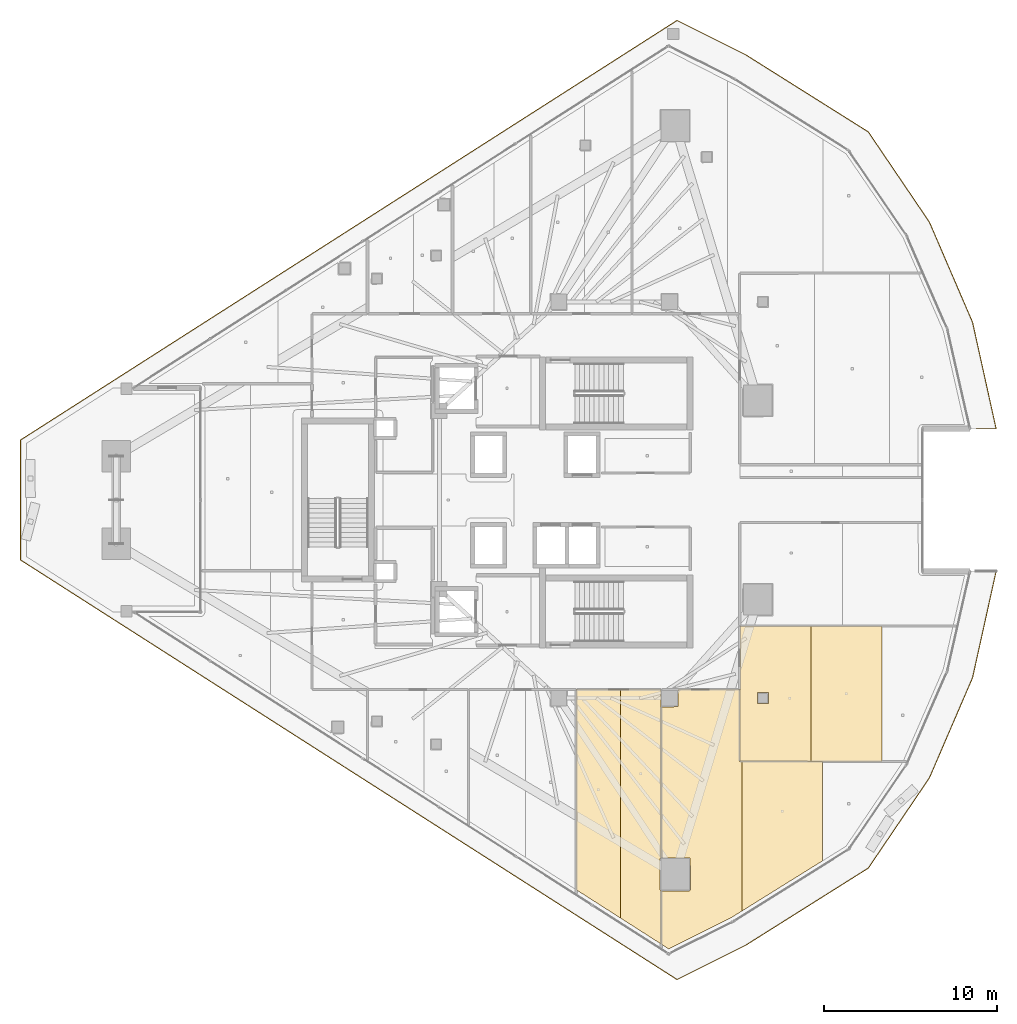
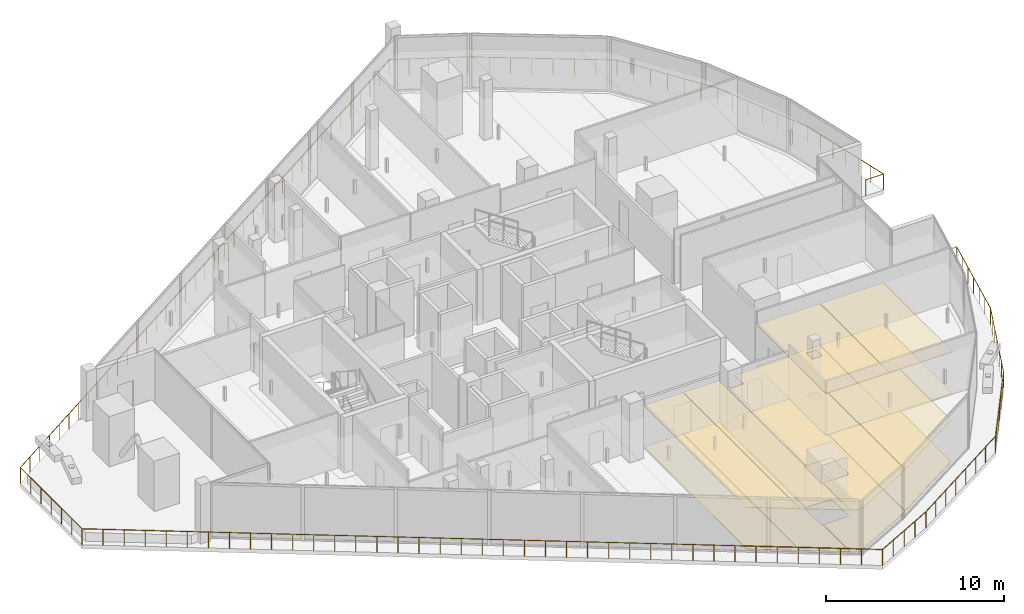
# One storey, part 29 of 32: 12 coverings, 1 railing.
"""IFC4 building model written with IfcOpenShell, lengths in metres."""

from ifc_helpers import new_model, si_unit, direction, frame, origin, origin_2d, place, context, subcontext, project, spatial, polyline, circle, outline, extrude, material, layer, layer_set, type_object, element, save


model = new_model("IFC4")

# Units and contexts
model_context = context("Model", 3, precision=1e-05, world=origin(), true_north=direction((0.0, 1.0)))
body_context = subcontext(model_context, "Body", "Model", "MODEL_VIEW")
ifc_project = project(units=[si_unit("LENGTHUNIT", "METRE"), si_unit("AREAUNIT", "SQUARE_METRE"), si_unit("VOLUMEUNIT", "CUBIC_METRE"), si_unit("PLANEANGLEUNIT", "RADIAN"), si_unit("MASSUNIT", "GRAM", prefix="KILO")], contexts=[model_context])

# Site, building, storey
site_placement = place(None, origin())
site = spatial("IfcSite", under=ifc_project, at=site_placement, CompositionType="ELEMENT")
building_placement = place(site_placement, origin())
building = spatial("IfcBuilding", under=site, at=building_placement, Name="Qorvath Tower", CompositionType="ELEMENT")
storey_placement = place(building_placement, frame((0.0, 0.0, 233.39990234375)))
storey = spatial("IfcBuildingStorey", under=building, at=storey_placement, Name="L54", CompositionType="ELEMENT", Elevation=233.39990234375)

# Coverings
ifc_material_1 = material(Name="Acoustic mineral fibre ceiling tile", Category="gypsum")
ifc_layer_1 = layer(ifc_material_1, 0.030029296875)
ifc_layer_set_1 = layer_set([ifc_layer_1], Name="COV-CEIL")
covering_type_1 = type_object("IfcCoveringType", Name="COV-CEIL", PredefinedType="CEILING", material=ifc_layer_set_1)
covering_1_placement = place(storey_placement, frame((0.0, 0.0, 2.85009765625)))
element("IfcCovering", 1, at=covering_1_placement, inside=storey, type_object=covering_type_1, Name="L54 Suspended Acoustic Ceiling 023", PredefinedType="CEILING", context=body_context, shape_type="SweptSolid", body=[
    extrude(outline(polyline([(-20.040771484375, -24.1474609375), (-20.040771484375, -10.962890625), (-22.573974609375, -10.962890625), (-22.573974609375, -22.5283203125), (-20.040771484375, -24.1474609375)])), origin(), (0.0, 0.0, 1.0), 0.030029296875),
])
covering_2_placement = place(storey_placement, frame((0.0, 0.0, 2.85009765625)))
element("IfcCovering", 2, at=covering_2_placement, inside=storey, type_object=covering_type_1, Name="L54 Suspended Acoustic Ceiling 024", PredefinedType="CEILING", context=body_context, shape_type="SweptSolid", body=[
    extrude(outline(polyline([(-17.69677734375, -20.6669921875), (-17.694580078125, -10.962890625), (-20.040771484375, -10.962890625), (-20.040771484375, -24.1474609375), (-17.680908203125, -25.65576171875), (-17.680908203125, -22.587158203125), (-17.756591796875, -22.527099609375), (-17.756591796875, -20.72705078125), (-17.69677734375, -20.6669921875)])), origin(), (0.0, 0.0, 1.0), 0.030029296875),
])
covering_3_placement = place(storey_placement, frame((0.0, 0.0, 2.85009765625)))
element("IfcCovering", 3, at=covering_3_placement, inside=storey, type_object=covering_type_1, Name="L54 Suspended Acoustic Ceiling 025", PredefinedType="CEILING", context=body_context, shape_type="SweptSolid", body=[
    extrude(outline(polyline([(-17.241455078125, -25.9365234375), (-13.634765625, -24.133056640625), (-13.008056640625, -23.7431640625), (-13.008056640625, -15.109375), (-13.14990234375, -15.109130859375), (-13.155029296875, -10.962890625), (-16.705322265625, -10.962890625), (-16.70751953125, -11.9423828125), (-17.662841796875, -11.95458984375), (-17.662841796875, -20.6669921875), (-16.00439453125, -20.6845703125), (-15.98681640625, -22.527099609375), (-16.046630859375, -22.587158203125), (-17.662841796875, -22.587158203125), (-17.662841796875, -25.667236328125), (-17.241455078125, -25.9365234375)])), origin(), (0.0, 0.0, 1.0), 0.030029296875),
])
covering_4_placement = place(storey_placement, frame((0.0, 0.0, 2.85009765625)))
element("IfcCovering", 4, at=covering_4_placement, inside=storey, type_object=covering_type_1, Name="L54 Suspended Acoustic Ceiling 026", PredefinedType="CEILING", context=body_context, shape_type="SweptSolid", body=[
    extrude(outline(polyline([(-13.008056640625, -15.109375), (-13.008056640625, -23.7431640625), (-8.35302734375, -20.84619140625), (-8.35302734375, -15.113037109375), (-13.008056640625, -15.109375)])), origin(), (0.0, 0.0, 1.0), 0.030029296875),
])
covering_5_placement = place(storey_placement, frame((0.0, 0.0, 2.85009765625)))
element("IfcCovering", 5, at=covering_5_placement, inside=storey, type_object=covering_type_1, Name="L54 Suspended Acoustic Ceiling 028", PredefinedType="CEILING", context=body_context, shape_type="SweptSolid", body=[
    extrude(outline(polyline([(-13.136962890625, -7.281494140625), (-13.136962890625, -15.09130859375), (-9.02978515625, -15.094482421875), (-9.02978515625, -7.281494140625), (-13.136962890625, -7.281494140625)]), holes=[polyline([(-12.117431640625, -11.767333984375), (-12.117431640625, -11.132568359375), (-11.482666015625, -11.132568359375), (-11.482666015625, -11.767333984375), (-12.117431640625, -11.767333984375)])]), origin(), (0.0, 0.0, 1.0), 0.030029296875),
])
covering_6_placement = place(storey_placement, frame((0.0, 0.0, 2.85009765625)))
element("IfcCovering", 6, at=covering_6_placement, inside=storey, type_object=covering_type_1, Name="L54 Suspended Acoustic Ceiling 029", PredefinedType="CEILING", context=body_context, shape_type="SweptSolid", body=[
    extrude(outline(polyline([(-9.02978515625, -7.281494140625), (-9.02978515625, -15.094482421875), (-4.92236328125, -15.09765625), (-4.92236328125, -7.281494140625), (-9.02978515625, -7.281494140625)])), origin(), (0.0, 0.0, 1.0), 0.030029296875),
])
ifc_material_2 = material(Name="Low-VOC modular carpet tile", Category="textile")
ifc_layer_2 = layer(ifc_material_2, 0.014892578125)
ifc_layer_set_2 = layer_set([ifc_layer_2], Name="COV-FLOOR-CPT")
covering_type_2 = type_object("IfcCoveringType", Name="COV-FLOOR-CPT", PredefinedType="FLOORING", material=ifc_layer_set_2)
covering_7_placement = place(storey_placement, origin())
element("IfcCovering", 7, at=covering_7_placement, inside=storey, type_object=covering_type_2, Name="L54 Floor Finish 023", PredefinedType="FLOORING", context=body_context, shape_type="SweptSolid", body=[
    extrude(outline(polyline([(-20.040771484375, -24.1474609375), (-20.040771484375, -10.962890625), (-22.573974609375, -10.962890625), (-22.573974609375, -22.5283203125), (-20.040771484375, -24.1474609375)])), origin(), (0.0, 0.0, 1.0), 0.01513671875),
])
covering_8_placement = place(storey_placement, origin())
element("IfcCovering", 8, at=covering_8_placement, inside=storey, type_object=covering_type_2, Name="L54 Floor Finish 024", PredefinedType="FLOORING", context=body_context, shape_type="SweptSolid", body=[
    extrude(outline(polyline([(-17.69677734375, -20.6669921875), (-17.694580078125, -10.962890625), (-20.040771484375, -10.962890625), (-20.040771484375, -24.1474609375), (-17.680908203125, -25.65576171875), (-17.680908203125, -22.587158203125), (-17.756591796875, -22.527099609375), (-17.756591796875, -20.72705078125), (-17.69677734375, -20.6669921875)])), origin(), (0.0, 0.0, 1.0), 0.01513671875),
])
covering_9_placement = place(storey_placement, origin())
element("IfcCovering", 9, at=covering_9_placement, inside=storey, type_object=covering_type_2, Name="L54 Floor Finish 025", PredefinedType="FLOORING", context=body_context, shape_type="SweptSolid", body=[
    extrude(outline(polyline([(-17.241455078125, -25.9365234375), (-13.634765625, -24.133056640625), (-13.008056640625, -23.7431640625), (-13.008056640625, -15.109375), (-13.14990234375, -15.109130859375), (-13.155029296875, -10.962890625), (-16.705322265625, -10.962890625), (-16.70751953125, -11.9423828125), (-17.662841796875, -11.95458984375), (-17.662841796875, -20.6669921875), (-16.00439453125, -20.6845703125), (-15.98681640625, -22.527099609375), (-16.046630859375, -22.587158203125), (-17.662841796875, -22.587158203125), (-17.662841796875, -25.667236328125), (-17.241455078125, -25.9365234375)])), origin(), (0.0, 0.0, 1.0), 0.01513671875),
])
covering_10_placement = place(storey_placement, origin())
element("IfcCovering", 10, at=covering_10_placement, inside=storey, type_object=covering_type_2, Name="L54 Floor Finish 026", PredefinedType="FLOORING", context=body_context, shape_type="SweptSolid", body=[
    extrude(outline(polyline([(-13.008056640625, -15.109375), (-13.008056640625, -23.7431640625), (-8.35302734375, -20.84619140625), (-8.35302734375, -15.113037109375), (-13.008056640625, -15.109375)])), origin(), (0.0, 0.0, 1.0), 0.01513671875),
])
covering_11_placement = place(storey_placement, origin())
element("IfcCovering", 11, at=covering_11_placement, inside=storey, type_object=covering_type_2, Name="L54 Floor Finish 028", PredefinedType="FLOORING", context=body_context, shape_type="SweptSolid", body=[
    extrude(outline(polyline([(-13.136962890625, -7.281494140625), (-13.136962890625, -15.09130859375), (-9.02978515625, -15.094482421875), (-9.02978515625, -7.281494140625), (-13.136962890625, -7.281494140625)]), holes=[polyline([(-12.117431640625, -11.767333984375), (-12.117431640625, -11.132568359375), (-11.482666015625, -11.132568359375), (-11.482666015625, -11.767333984375), (-12.117431640625, -11.767333984375)])]), origin(), (0.0, 0.0, 1.0), 0.01513671875),
])
covering_12_placement = place(storey_placement, origin())
element("IfcCovering", 12, at=covering_12_placement, inside=storey, type_object=covering_type_2, Name="L54 Floor Finish 029", PredefinedType="FLOORING", context=body_context, shape_type="SweptSolid", body=[
    extrude(outline(polyline([(-9.02978515625, -7.281494140625), (-9.02978515625, -15.094482421875), (-4.92236328125, -15.09765625), (-4.92236328125, -7.281494140625), (-9.02978515625, -7.281494140625)])), origin(), (0.0, 0.0, 1.0), 0.01513671875),
])

# Railing
ifc_material_3 = material(Name="Laminated safety glass and stainless steel AISI 316", Category="steel")
railing_type = type_object("IfcRailingType", Name="RL-EXT-GRD", PredefinedType="GUARDRAIL", material=ifc_material_3)
railing_placement = place(storey_placement, frame((1.676513671875, -4.11474609375, 0.0)))
element("IfcRailing", 13, at=railing_placement, inside=storey, type_object=railing_type, Name="Loggia Perimeter Guardrail L54-1.1", PredefinedType="GUARDRAIL", context=body_context, shape_type="SweptSolid", body=[
    extrude(circle(Radius=0.02392578125, at=origin_2d()), frame((0.0, 0.0, 1.09619140625), z_axis=(-0.216118110826, -0.976367227109, 0.0), x_axis=(0.976367227109, -0.216118110826, 0.0)), (0.0, 0.0, 1.0), 6.30126953125),
    extrude(circle(Radius=0.02392578125, at=origin_2d()), frame((-1.36181640625, -6.15234375, 1.09619140625), z_axis=(-0.395480595166, -0.918474332166, 0.0), x_axis=(0.918474332166, -0.395480595166, 0.0)), (0.0, 0.0, 1.0), 6.301025390625),
    extrude(circle(Radius=0.02392578125, at=origin_2d()), frame((-3.853759765625, -11.939697265625, 1.09619140625), z_axis=(-0.560819015743, -0.827938422578, 0.0), x_axis=(0.827938422578, -0.560819015743, 0.0)), (0.0, 0.0, 1.0), 6.301025390625),
    extrude(circle(Radius=0.02392578125, at=origin_2d()), frame((-7.387451171875, -17.156494140625, 1.09619140625), z_axis=(-0.846490615346, -0.53240364211, 0.0), x_axis=(0.53240364211, -0.846490615346, 0.0)), (0.0, 0.0, 1.0), 8.37939453125),
    extrude(circle(Radius=0.02392578125, at=origin_2d()), frame((-14.48046875, -21.61767578125, 1.09619140625), z_axis=(-0.89443822296, -0.4471915309, 0.0), x_axis=(0.4471915309, -0.89443822296, 0.0)), (0.0, 0.0, 1.0), 4.426025390625),
    extrude(circle(Radius=0.02392578125, at=origin_2d()), frame((-18.439208984375, -23.596923828125, 1.09619140625), z_axis=(-0.842606250053, 0.538530135992, 0.0), x_axis=(-0.538530135992, -0.842606250053, 0.0)), (0.0, 0.0, 1.0), 45.025390625),
    extrude(circle(Radius=0.02392578125, at=origin_2d()), frame((-56.3779296875, 0.650634765625, 1.09619140625), z_axis=(0.0, 1.0, 0.0), x_axis=(-1.0, 0.0, 0.0)), (0.0, 0.0, 1.0), 6.92822265625),
    extrude(circle(Radius=0.02392578125, at=origin_2d()), frame((-56.3779296875, 7.578857421875, 1.09619140625), z_axis=(0.842606250053, 0.538530135992, 0.0), x_axis=(-0.538530135992, 0.842606250053, 0.0)), (0.0, 0.0, 1.0), 45.025390625),
    extrude(circle(Radius=0.02392578125, at=origin_2d()), frame((-18.439208984375, 31.826416015625, 1.09619140625), z_axis=(0.89443822296, -0.4471915309, 0.0), x_axis=(0.4471915309, 0.89443822296, 0.0)), (0.0, 0.0, 1.0), 4.426025390625),
    extrude(circle(Radius=0.02392578125, at=origin_2d()), frame((-14.48046875, 29.84716796875, 1.09619140625), z_axis=(0.846490615346, -0.53240364211, 0.0), x_axis=(0.53240364211, 0.846490615346, 0.0)), (0.0, 0.0, 1.0), 8.37939453125),
    extrude(circle(Radius=0.02392578125, at=origin_2d()), frame((-7.387451171875, 25.385986328125, 1.09619140625), z_axis=(0.560819015743, -0.827938422578, 0.0), x_axis=(0.827938422578, 0.560819015743, 0.0)), (0.0, 0.0, 1.0), 6.301025390625),
    extrude(circle(Radius=0.02392578125, at=origin_2d()), frame((-3.853759765625, 20.169189453125, 1.09619140625), z_axis=(0.395480595166, -0.918474332166, 0.0), x_axis=(0.918474332166, 0.395480595166, 0.0)), (0.0, 0.0, 1.0), 6.301025390625),
    extrude(circle(Radius=0.02392578125, at=origin_2d()), frame((-1.36181640625, 14.3818359375, 1.09619140625), z_axis=(0.216118110826, -0.976367227109, 0.0), x_axis=(0.976367227109, 0.216118110826, 0.0)), (0.0, 0.0, 1.0), 6.30126953125),
    extrude(circle(Radius=0.02392578125, at=origin_2d()), frame((0.0, 8.2294921875, 1.09619140625), z_axis=(-1.0, 0.0, 0.0), x_axis=(0.0, -1.0, 0.0)), (0.0, 0.0, 1.0), 1.158935546875),
    extrude(circle(Radius=0.02099609375, at=origin_2d()), origin(), (0.0, 0.0, 1.0), 1.072021484375),
    extrude(circle(Radius=0.02099609375, at=origin_2d()), frame((-0.22705078125, -1.025390625, 0.0)), (0.0, 0.0, 1.0), 1.072021484375),
    extrude(circle(Radius=0.02099609375, at=origin_2d()), frame((-0.453857421875, -2.05078125, 0.0)), (0.0, 0.0, 1.0), 1.072021484375),
    extrude(circle(Radius=0.02099609375, at=origin_2d()), frame((-0.680908203125, -3.076171875, 0.0)), (0.0, 0.0, 1.0), 1.072021484375),
    extrude(circle(Radius=0.02099609375, at=origin_2d()), frame((-0.907958984375, -4.1015625, 0.0)), (0.0, 0.0, 1.0), 1.072021484375),
    extrude(circle(Radius=0.02099609375, at=origin_2d()), frame((-1.134765625, -5.126953125, 0.0)), (0.0, 0.0, 1.0), 1.072021484375),
    extrude(circle(Radius=0.02099609375, at=origin_2d()), frame((-1.36181640625, -6.15234375, 0.0)), (0.0, 0.0, 1.0), 1.072021484375),
    extrude(circle(Radius=0.02099609375, at=origin_2d()), frame((-1.777099609375, -7.116943359375, 0.0)), (0.0, 0.0, 1.0), 1.072021484375),
    extrude(circle(Radius=0.02099609375, at=origin_2d()), frame((-2.1923828125, -8.08154296875, 0.0)), (0.0, 0.0, 1.0), 1.072021484375),
    extrude(circle(Radius=0.02099609375, at=origin_2d()), frame((-2.60791015625, -9.0458984375, 0.0)), (0.0, 0.0, 1.0), 1.072021484375),
    extrude(circle(Radius=0.02099609375, at=origin_2d()), frame((-3.023193359375, -10.010498046875, 0.0)), (0.0, 0.0, 1.0), 1.072021484375),
    extrude(circle(Radius=0.02099609375, at=origin_2d()), frame((-3.4384765625, -10.97509765625, 0.0)), (0.0, 0.0, 1.0), 1.072021484375),
    extrude(circle(Radius=0.02099609375, at=origin_2d()), frame((-3.853759765625, -11.939697265625, 0.0)), (0.0, 0.0, 1.0), 1.072021484375),
    extrude(circle(Radius=0.02099609375, at=origin_2d()), frame((-4.442626953125, -12.80908203125, 0.0)), (0.0, 0.0, 1.0), 1.072021484375),
    extrude(circle(Radius=0.02099609375, at=origin_2d()), frame((-5.03173828125, -13.6787109375, 0.0)), (0.0, 0.0, 1.0), 1.072021484375),
    extrude(circle(Radius=0.02099609375, at=origin_2d()), frame((-5.62060546875, -14.548095703125, 0.0)), (0.0, 0.0, 1.0), 1.072021484375),
    extrude(circle(Radius=0.02099609375, at=origin_2d()), frame((-6.20947265625, -15.41748046875, 0.0)), (0.0, 0.0, 1.0), 1.072021484375),
    extrude(circle(Radius=0.02099609375, at=origin_2d()), frame((-6.798583984375, -16.287109375, 0.0)), (0.0, 0.0, 1.0), 1.072021484375),
    extrude(circle(Radius=0.02099609375, at=origin_2d()), frame((-7.387451171875, -17.156494140625, 0.0)), (0.0, 0.0, 1.0), 1.072021484375),
    extrude(circle(Radius=0.02099609375, at=origin_2d()), frame((-8.400634765625, -17.793701171875, 0.0)), (0.0, 0.0, 1.0), 1.072021484375),
    extrude(circle(Radius=0.02099609375, at=origin_2d()), frame((-9.4140625, -18.43115234375, 0.0)), (0.0, 0.0, 1.0), 1.072021484375),
    extrude(circle(Radius=0.02099609375, at=origin_2d()), frame((-10.42724609375, -19.068359375, 0.0)), (0.0, 0.0, 1.0), 1.072021484375),
    extrude(circle(Radius=0.02099609375, at=origin_2d()), frame((-11.440673828125, -19.705810546875, 0.0)), (0.0, 0.0, 1.0), 1.072021484375),
    extrude(circle(Radius=0.02099609375, at=origin_2d()), frame((-12.453857421875, -20.343017578125, 0.0)), (0.0, 0.0, 1.0), 1.072021484375),
    extrude(circle(Radius=0.02099609375, at=origin_2d()), frame((-13.46728515625, -20.98046875, 0.0)), (0.0, 0.0, 1.0), 1.072021484375),
    extrude(circle(Radius=0.02099609375, at=origin_2d()), frame((-14.48046875, -21.61767578125, 0.0)), (0.0, 0.0, 1.0), 1.072021484375),
    extrude(circle(Radius=0.02099609375, at=origin_2d()), frame((-15.47021484375, -22.112548828125, 0.0)), (0.0, 0.0, 1.0), 1.072021484375),
    extrude(circle(Radius=0.02099609375, at=origin_2d()), frame((-16.4599609375, -22.607421875, 0.0)), (0.0, 0.0, 1.0), 1.072021484375),
    extrude(circle(Radius=0.02099609375, at=origin_2d()), frame((-17.449462890625, -23.10205078125, 0.0)), (0.0, 0.0, 1.0), 1.072021484375),
    extrude(circle(Radius=0.02099609375, at=origin_2d()), frame((-18.439208984375, -23.596923828125, 0.0)), (0.0, 0.0, 1.0), 1.072021484375),
    extrude(circle(Radius=0.02099609375, at=origin_2d()), frame((-19.4375, -22.958740234375, 0.0)), (0.0, 0.0, 1.0), 1.072021484375),
    extrude(circle(Radius=0.02099609375, at=origin_2d()), frame((-20.43603515625, -22.32080078125, 0.0)), (0.0, 0.0, 1.0), 1.072021484375),
    extrude(circle(Radius=0.02099609375, at=origin_2d()), frame((-21.434326171875, -21.6826171875, 0.0)), (0.0, 0.0, 1.0), 1.072021484375),
    extrude(circle(Radius=0.02099609375, at=origin_2d()), frame((-22.432861328125, -21.04443359375, 0.0)), (0.0, 0.0, 1.0), 1.072021484375),
    extrude(circle(Radius=0.02099609375, at=origin_2d()), frame((-23.43115234375, -20.406494140625, 0.0)), (0.0, 0.0, 1.0), 1.072021484375),
    extrude(circle(Radius=0.02099609375, at=origin_2d()), frame((-24.429443359375, -19.768310546875, 0.0)), (0.0, 0.0, 1.0), 1.072021484375),
    extrude(circle(Radius=0.02099609375, at=origin_2d()), frame((-25.427978515625, -19.13037109375, 0.0)), (0.0, 0.0, 1.0), 1.072021484375),
    extrude(circle(Radius=0.02099609375, at=origin_2d()), frame((-26.42626953125, -18.4921875, 0.0)), (0.0, 0.0, 1.0), 1.072021484375),
    extrude(circle(Radius=0.02099609375, at=origin_2d()), frame((-27.4248046875, -17.85400390625, 0.0)), (0.0, 0.0, 1.0), 1.072021484375),
    extrude(circle(Radius=0.02099609375, at=origin_2d()), frame((-28.423095703125, -17.216064453125, 0.0)), (0.0, 0.0, 1.0), 1.072021484375),
    extrude(circle(Radius=0.02099609375, at=origin_2d()), frame((-29.42138671875, -16.577880859375, 0.0)), (0.0, 0.0, 1.0), 1.072021484375),
    extrude(circle(Radius=0.02099609375, at=origin_2d()), frame((-30.419921875, -15.939697265625, 0.0)), (0.0, 0.0, 1.0), 1.072021484375),
    extrude(circle(Radius=0.02099609375, at=origin_2d()), frame((-31.418212890625, -15.3017578125, 0.0)), (0.0, 0.0, 1.0), 1.072021484375),
    extrude(circle(Radius=0.02099609375, at=origin_2d()), frame((-32.416748046875, -14.66357421875, 0.0)), (0.0, 0.0, 1.0), 1.072021484375),
    extrude(circle(Radius=0.02099609375, at=origin_2d()), frame((-33.4150390625, -14.025634765625, 0.0)), (0.0, 0.0, 1.0), 1.072021484375),
    extrude(circle(Radius=0.02099609375, at=origin_2d()), frame((-34.413330078125, -13.387451171875, 0.0)), (0.0, 0.0, 1.0), 1.072021484375),
    extrude(circle(Radius=0.02099609375, at=origin_2d()), frame((-35.411865234375, -12.749267578125, 0.0)), (0.0, 0.0, 1.0), 1.072021484375),
    extrude(circle(Radius=0.02099609375, at=origin_2d()), frame((-36.41015625, -12.111328125, 0.0)), (0.0, 0.0, 1.0), 1.072021484375),
    extrude(circle(Radius=0.02099609375, at=origin_2d()), frame((-37.40869140625, -11.47314453125, 0.0)), (0.0, 0.0, 1.0), 1.072021484375),
    extrude(circle(Radius=0.02099609375, at=origin_2d()), frame((-38.406982421875, -10.8349609375, 0.0)), (0.0, 0.0, 1.0), 1.072021484375),
    extrude(circle(Radius=0.02099609375, at=origin_2d()), frame((-39.4052734375, -10.197021484375, 0.0)), (0.0, 0.0, 1.0), 1.072021484375),
    extrude(circle(Radius=0.02099609375, at=origin_2d()), frame((-40.40380859375, -9.558837890625, 0.0)), (0.0, 0.0, 1.0), 1.072021484375),
    extrude(circle(Radius=0.02099609375, at=origin_2d()), frame((-41.402099609375, -8.920654296875, 0.0)), (0.0, 0.0, 1.0), 1.072021484375),
    extrude(circle(Radius=0.02099609375, at=origin_2d()), frame((-42.400390625, -8.28271484375, 0.0)), (0.0, 0.0, 1.0), 1.072021484375),
    extrude(circle(Radius=0.02099609375, at=origin_2d()), frame((-43.39892578125, -7.64453125, 0.0)), (0.0, 0.0, 1.0), 1.072021484375),
    extrude(circle(Radius=0.02099609375, at=origin_2d()), frame((-44.397216796875, -7.006591796875, 0.0)), (0.0, 0.0, 1.0), 1.072021484375),
    extrude(circle(Radius=0.02099609375, at=origin_2d()), frame((-45.395751953125, -6.368408203125, 0.0)), (0.0, 0.0, 1.0), 1.072021484375),
    extrude(circle(Radius=0.02099609375, at=origin_2d()), frame((-46.39404296875, -5.730224609375, 0.0)), (0.0, 0.0, 1.0), 1.072021484375),
    extrude(circle(Radius=0.02099609375, at=origin_2d()), frame((-47.392333984375, -5.09228515625, 0.0)), (0.0, 0.0, 1.0), 1.072021484375),
    extrude(circle(Radius=0.02099609375, at=origin_2d()), frame((-48.390869140625, -4.4541015625, 0.0)), (0.0, 0.0, 1.0), 1.072021484375),
    extrude(circle(Radius=0.02099609375, at=origin_2d()), frame((-49.38916015625, -3.81591796875, 0.0)), (0.0, 0.0, 1.0), 1.072021484375),
    extrude(circle(Radius=0.02099609375, at=origin_2d()), frame((-50.3876953125, -3.177978515625, 0.0)), (0.0, 0.0, 1.0), 1.072021484375),
    extrude(circle(Radius=0.02099609375, at=origin_2d()), frame((-51.385986328125, -2.539794921875, 0.0)), (0.0, 0.0, 1.0), 1.072021484375),
    extrude(circle(Radius=0.02099609375, at=origin_2d()), frame((-52.38427734375, -1.90185546875, 0.0)), (0.0, 0.0, 1.0), 1.072021484375),
    extrude(circle(Radius=0.02099609375, at=origin_2d()), frame((-53.3828125, -1.263671875, 0.0)), (0.0, 0.0, 1.0), 1.072021484375),
    extrude(circle(Radius=0.02099609375, at=origin_2d()), frame((-54.381103515625, -0.62548828125, 0.0)), (0.0, 0.0, 1.0), 1.072021484375),
    extrude(circle(Radius=0.02099609375, at=origin_2d()), frame((-55.379638671875, 0.012451171875, 0.0)), (0.0, 0.0, 1.0), 1.072021484375),
    extrude(circle(Radius=0.02099609375, at=origin_2d()), frame((-56.3779296875, 0.650634765625, 0.0)), (0.0, 0.0, 1.0), 1.072021484375),
    extrude(circle(Radius=0.02099609375, at=origin_2d()), frame((-56.3779296875, 1.805419921875, 0.0)), (0.0, 0.0, 1.0), 1.072021484375),
    extrude(circle(Radius=0.02099609375, at=origin_2d()), frame((-56.3779296875, 2.9599609375, 0.0)), (0.0, 0.0, 1.0), 1.072021484375),
    extrude(circle(Radius=0.02099609375, at=origin_2d()), frame((-56.3779296875, 4.11474609375, 0.0)), (0.0, 0.0, 1.0), 1.072021484375),
    extrude(circle(Radius=0.02099609375, at=origin_2d()), frame((-56.3779296875, 5.26953125, 0.0)), (0.0, 0.0, 1.0), 1.072021484375),
    extrude(circle(Radius=0.02099609375, at=origin_2d()), frame((-56.3779296875, 6.424072265625, 0.0)), (0.0, 0.0, 1.0), 1.072021484375),
    extrude(circle(Radius=0.02099609375, at=origin_2d()), frame((-56.3779296875, 7.578857421875, 0.0)), (0.0, 0.0, 1.0), 1.072021484375),
    extrude(circle(Radius=0.02099609375, at=origin_2d()), frame((-55.379638671875, 8.217041015625, 0.0)), (0.0, 0.0, 1.0), 1.072021484375),
    extrude(circle(Radius=0.02099609375, at=origin_2d()), frame((-54.381103515625, 8.85498046875, 0.0)), (0.0, 0.0, 1.0), 1.072021484375),
    extrude(circle(Radius=0.02099609375, at=origin_2d()), frame((-53.3828125, 9.4931640625, 0.0)), (0.0, 0.0, 1.0), 1.072021484375),
    extrude(circle(Radius=0.02099609375, at=origin_2d()), frame((-52.38427734375, 10.13134765625, 0.0)), (0.0, 0.0, 1.0), 1.072021484375),
    extrude(circle(Radius=0.02099609375, at=origin_2d()), frame((-51.385986328125, 10.769287109375, 0.0)), (0.0, 0.0, 1.0), 1.072021484375),
    extrude(circle(Radius=0.02099609375, at=origin_2d()), frame((-50.3876953125, 11.407470703125, 0.0)), (0.0, 0.0, 1.0), 1.072021484375),
    extrude(circle(Radius=0.02099609375, at=origin_2d()), frame((-49.38916015625, 12.04541015625, 0.0)), (0.0, 0.0, 1.0), 1.072021484375),
    extrude(circle(Radius=0.02099609375, at=origin_2d()), frame((-48.390869140625, 12.68359375, 0.0)), (0.0, 0.0, 1.0), 1.072021484375),
    extrude(circle(Radius=0.02099609375, at=origin_2d()), frame((-47.392333984375, 13.32177734375, 0.0)), (0.0, 0.0, 1.0), 1.072021484375),
    extrude(circle(Radius=0.02099609375, at=origin_2d()), frame((-46.39404296875, 13.959716796875, 0.0)), (0.0, 0.0, 1.0), 1.072021484375),
    extrude(circle(Radius=0.02099609375, at=origin_2d()), frame((-45.395751953125, 14.597900390625, 0.0)), (0.0, 0.0, 1.0), 1.072021484375),
    extrude(circle(Radius=0.02099609375, at=origin_2d()), frame((-44.397216796875, 15.236083984375, 0.0)), (0.0, 0.0, 1.0), 1.072021484375),
    extrude(circle(Radius=0.02099609375, at=origin_2d()), frame((-43.39892578125, 15.8740234375, 0.0)), (0.0, 0.0, 1.0), 1.072021484375),
    extrude(circle(Radius=0.02099609375, at=origin_2d()), frame((-42.400390625, 16.51220703125, 0.0)), (0.0, 0.0, 1.0), 1.072021484375),
    extrude(circle(Radius=0.02099609375, at=origin_2d()), frame((-41.402099609375, 17.150146484375, 0.0)), (0.0, 0.0, 1.0), 1.072021484375),
    extrude(circle(Radius=0.02099609375, at=origin_2d()), frame((-40.40380859375, 17.788330078125, 0.0)), (0.0, 0.0, 1.0), 1.072021484375),
    extrude(circle(Radius=0.02099609375, at=origin_2d()), frame((-39.4052734375, 18.426513671875, 0.0)), (0.0, 0.0, 1.0), 1.072021484375),
    extrude(circle(Radius=0.02099609375, at=origin_2d()), frame((-38.406982421875, 19.064453125, 0.0)), (0.0, 0.0, 1.0), 1.072021484375),
    extrude(circle(Radius=0.02099609375, at=origin_2d()), frame((-37.40869140625, 19.70263671875, 0.0)), (0.0, 0.0, 1.0), 1.072021484375),
    extrude(circle(Radius=0.02099609375, at=origin_2d()), frame((-36.41015625, 20.3408203125, 0.0)), (0.0, 0.0, 1.0), 1.072021484375),
    extrude(circle(Radius=0.02099609375, at=origin_2d()), frame((-35.411865234375, 20.978759765625, 0.0)), (0.0, 0.0, 1.0), 1.072021484375),
    extrude(circle(Radius=0.02099609375, at=origin_2d()), frame((-34.413330078125, 21.616943359375, 0.0)), (0.0, 0.0, 1.0), 1.072021484375),
    extrude(circle(Radius=0.02099609375, at=origin_2d()), frame((-33.4150390625, 22.255126953125, 0.0)), (0.0, 0.0, 1.0), 1.072021484375),
    extrude(circle(Radius=0.02099609375, at=origin_2d()), frame((-32.416748046875, 22.89306640625, 0.0)), (0.0, 0.0, 1.0), 1.072021484375),
    extrude(circle(Radius=0.02099609375, at=origin_2d()), frame((-31.418212890625, 23.53125, 0.0)), (0.0, 0.0, 1.0), 1.072021484375),
    extrude(circle(Radius=0.02099609375, at=origin_2d()), frame((-30.419921875, 24.169189453125, 0.0)), (0.0, 0.0, 1.0), 1.072021484375),
    extrude(circle(Radius=0.02099609375, at=origin_2d()), frame((-29.42138671875, 24.807373046875, 0.0)), (0.0, 0.0, 1.0), 1.072021484375),
    extrude(circle(Radius=0.02099609375, at=origin_2d()), frame((-28.423095703125, 25.445556640625, 0.0)), (0.0, 0.0, 1.0), 1.072021484375),
    extrude(circle(Radius=0.02099609375, at=origin_2d()), frame((-27.4248046875, 26.08349609375, 0.0)), (0.0, 0.0, 1.0), 1.072021484375),
    extrude(circle(Radius=0.02099609375, at=origin_2d()), frame((-26.42626953125, 26.7216796875, 0.0)), (0.0, 0.0, 1.0), 1.072021484375),
    extrude(circle(Radius=0.02099609375, at=origin_2d()), frame((-25.427978515625, 27.35986328125, 0.0)), (0.0, 0.0, 1.0), 1.072021484375),
    extrude(circle(Radius=0.02099609375, at=origin_2d()), frame((-24.429443359375, 27.997802734375, 0.0)), (0.0, 0.0, 1.0), 1.072021484375),
    extrude(circle(Radius=0.02099609375, at=origin_2d()), frame((-23.43115234375, 28.635986328125, 0.0)), (0.0, 0.0, 1.0), 1.072021484375),
    extrude(circle(Radius=0.02099609375, at=origin_2d()), frame((-22.432861328125, 29.27392578125, 0.0)), (0.0, 0.0, 1.0), 1.072021484375),
    extrude(circle(Radius=0.02099609375, at=origin_2d()), frame((-21.434326171875, 29.912109375, 0.0)), (0.0, 0.0, 1.0), 1.072021484375),
    extrude(circle(Radius=0.02099609375, at=origin_2d()), frame((-20.43603515625, 30.55029296875, 0.0)), (0.0, 0.0, 1.0), 1.072021484375),
    extrude(circle(Radius=0.02099609375, at=origin_2d()), frame((-19.4375, 31.188232421875, 0.0)), (0.0, 0.0, 1.0), 1.072021484375),
    extrude(circle(Radius=0.02099609375, at=origin_2d()), frame((-18.439208984375, 31.826416015625, 0.0)), (0.0, 0.0, 1.0), 1.072021484375),
    extrude(circle(Radius=0.02099609375, at=origin_2d()), frame((-17.449462890625, 31.33154296875, 0.0)), (0.0, 0.0, 1.0), 1.072021484375),
    extrude(circle(Radius=0.02099609375, at=origin_2d()), frame((-16.4599609375, 30.8369140625, 0.0)), (0.0, 0.0, 1.0), 1.072021484375),
    extrude(circle(Radius=0.02099609375, at=origin_2d()), frame((-15.47021484375, 30.342041015625, 0.0)), (0.0, 0.0, 1.0), 1.072021484375),
    extrude(circle(Radius=0.02099609375, at=origin_2d()), frame((-14.48046875, 29.84716796875, 0.0)), (0.0, 0.0, 1.0), 1.072021484375),
    extrude(circle(Radius=0.02099609375, at=origin_2d()), frame((-13.46728515625, 29.2099609375, 0.0)), (0.0, 0.0, 1.0), 1.072021484375),
    extrude(circle(Radius=0.02099609375, at=origin_2d()), frame((-12.453857421875, 28.572509765625, 0.0)), (0.0, 0.0, 1.0), 1.072021484375),
    extrude(circle(Radius=0.02099609375, at=origin_2d()), frame((-11.440673828125, 27.935302734375, 0.0)), (0.0, 0.0, 1.0), 1.072021484375),
    extrude(circle(Radius=0.02099609375, at=origin_2d()), frame((-10.42724609375, 27.2978515625, 0.0)), (0.0, 0.0, 1.0), 1.072021484375),
    extrude(circle(Radius=0.02099609375, at=origin_2d()), frame((-9.4140625, 26.66064453125, 0.0)), (0.0, 0.0, 1.0), 1.072021484375),
    extrude(circle(Radius=0.02099609375, at=origin_2d()), frame((-8.400634765625, 26.023193359375, 0.0)), (0.0, 0.0, 1.0), 1.072021484375),
    extrude(circle(Radius=0.02099609375, at=origin_2d()), frame((-7.387451171875, 25.385986328125, 0.0)), (0.0, 0.0, 1.0), 1.072021484375),
    extrude(circle(Radius=0.02099609375, at=origin_2d()), frame((-6.798583984375, 24.5166015625, 0.0)), (0.0, 0.0, 1.0), 1.072021484375),
    extrude(circle(Radius=0.02099609375, at=origin_2d()), frame((-6.20947265625, 23.64697265625, 0.0)), (0.0, 0.0, 1.0), 1.072021484375),
    extrude(circle(Radius=0.02099609375, at=origin_2d()), frame((-5.62060546875, 22.777587890625, 0.0)), (0.0, 0.0, 1.0), 1.072021484375),
    extrude(circle(Radius=0.02099609375, at=origin_2d()), frame((-5.03173828125, 21.908203125, 0.0)), (0.0, 0.0, 1.0), 1.072021484375),
    extrude(circle(Radius=0.02099609375, at=origin_2d()), frame((-4.442626953125, 21.03857421875, 0.0)), (0.0, 0.0, 1.0), 1.072021484375),
    extrude(circle(Radius=0.02099609375, at=origin_2d()), frame((-3.853759765625, 20.169189453125, 0.0)), (0.0, 0.0, 1.0), 1.072021484375),
    extrude(circle(Radius=0.02099609375, at=origin_2d()), frame((-3.4384765625, 19.20458984375, 0.0)), (0.0, 0.0, 1.0), 1.072021484375),
    extrude(circle(Radius=0.02099609375, at=origin_2d()), frame((-3.023193359375, 18.239990234375, 0.0)), (0.0, 0.0, 1.0), 1.072021484375),
    extrude(circle(Radius=0.02099609375, at=origin_2d()), frame((-2.60791015625, 17.275390625, 0.0)), (0.0, 0.0, 1.0), 1.072021484375),
    extrude(circle(Radius=0.02099609375, at=origin_2d()), frame((-2.1923828125, 16.31103515625, 0.0)), (0.0, 0.0, 1.0), 1.072021484375),
    extrude(circle(Radius=0.02099609375, at=origin_2d()), frame((-1.777099609375, 15.346435546875, 0.0)), (0.0, 0.0, 1.0), 1.072021484375),
    extrude(circle(Radius=0.02099609375, at=origin_2d()), frame((-1.36181640625, 14.3818359375, 0.0)), (0.0, 0.0, 1.0), 1.072021484375),
    extrude(circle(Radius=0.02099609375, at=origin_2d()), frame((-1.134765625, 13.3564453125, 0.0)), (0.0, 0.0, 1.0), 1.072021484375),
    extrude(circle(Radius=0.02099609375, at=origin_2d()), frame((-0.907958984375, 12.3310546875, 0.0)), (0.0, 0.0, 1.0), 1.072021484375),
    extrude(circle(Radius=0.02099609375, at=origin_2d()), frame((-0.680908203125, 11.3056640625, 0.0)), (0.0, 0.0, 1.0), 1.072021484375),
    extrude(circle(Radius=0.02099609375, at=origin_2d()), frame((-0.453857421875, 10.2802734375, 0.0)), (0.0, 0.0, 1.0), 1.072021484375),
    extrude(circle(Radius=0.02099609375, at=origin_2d()), frame((-0.22705078125, 9.2548828125, 0.0)), (0.0, 0.0, 1.0), 1.072021484375),
    extrude(circle(Radius=0.02099609375, at=origin_2d()), frame((0.0, 8.2294921875, 0.0)), (0.0, 0.0, 1.0), 1.072021484375),
    extrude(circle(Radius=0.02099609375, at=origin_2d()), frame((-1.158935546875, 8.2294921875, 0.0)), (0.0, 0.0, 1.0), 1.072021484375),
])

save(model, "model.ifc")
